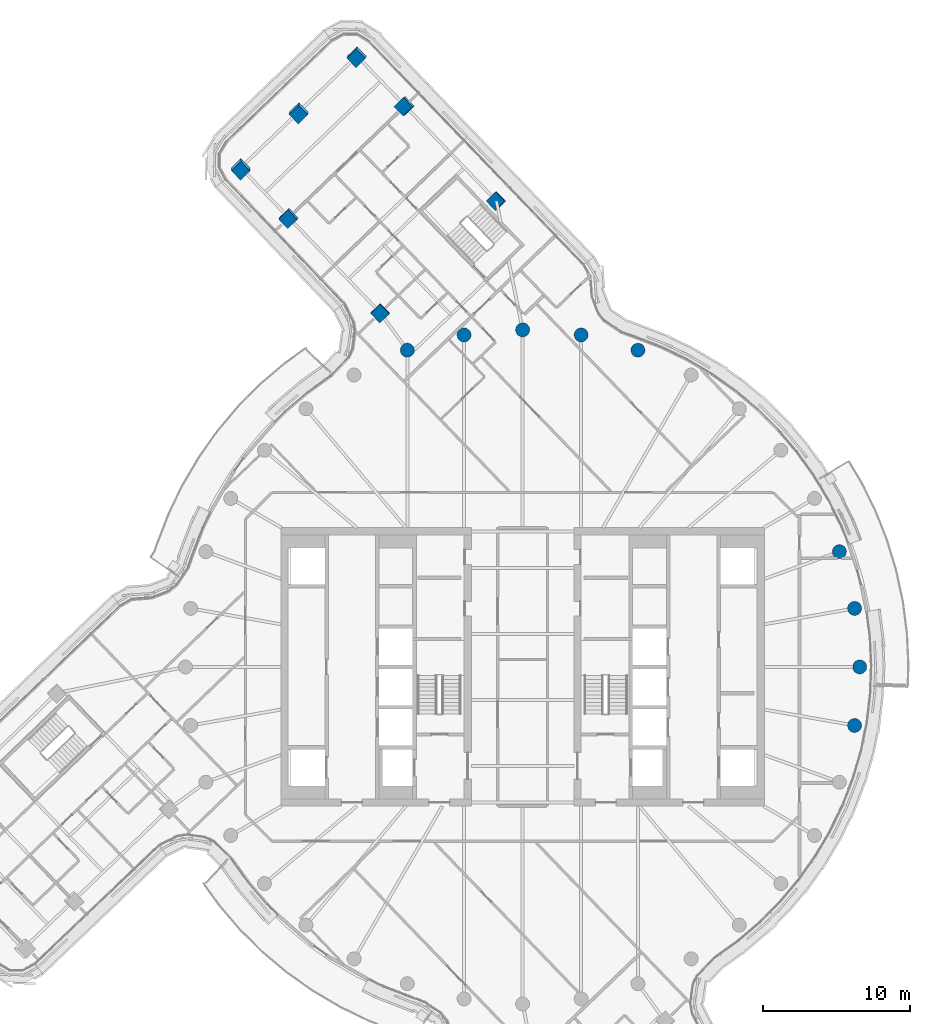
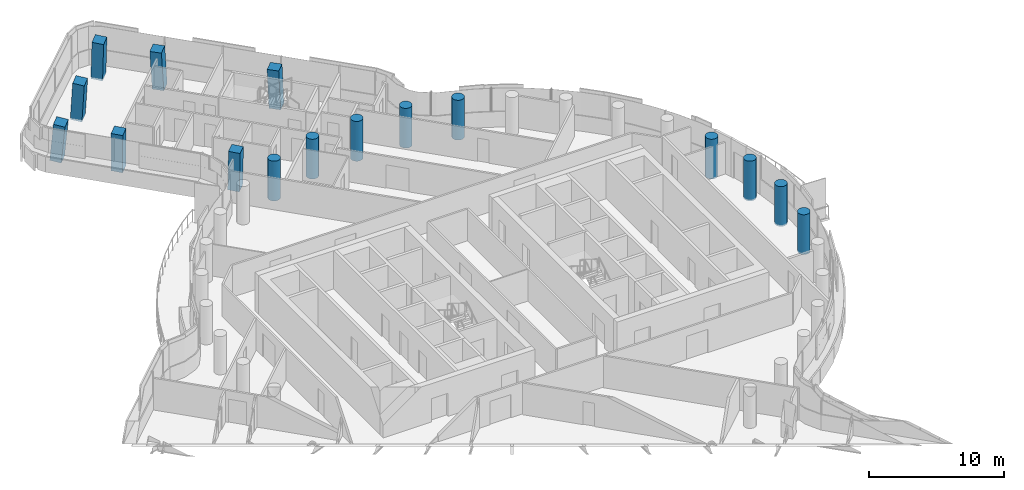
# One storey, part 2 of 34: 16 columns.
"""IFC4 building model written with IfcOpenShell, lengths in metres."""

from ifc_helpers import new_model, si_unit, direction, frame, origin, origin_2d, place, context, subcontext, project, spatial, rectangle, circle, extrude, material, material_profile, profile_set, type_object, element, save


model = new_model("IFC4")

# Units and contexts
model_context = context("Model", 3, precision=1e-05, world=origin(), true_north=direction((0.0, 1.0)))
body_context = subcontext(model_context, "Body", "Model", "MODEL_VIEW")
ifc_project = project(units=[si_unit("LENGTHUNIT", "METRE"), si_unit("AREAUNIT", "SQUARE_METRE"), si_unit("VOLUMEUNIT", "CUBIC_METRE"), si_unit("PLANEANGLEUNIT", "RADIAN"), si_unit("MASSUNIT", "GRAM", prefix="KILO")], contexts=[model_context])

# Site, building, storey
site_placement = place(None, origin())
site = spatial("IfcSite", under=ifc_project, at=site_placement, CompositionType="ELEMENT")
building_placement = place(site_placement, origin())
building = spatial("IfcBuilding", under=site, at=building_placement, Name="Tamarind Cross Interchange Tower", CompositionType="ELEMENT")
storey_placement = place(building_placement, frame((0.0, 0.0, 193.300048828125)))
storey = spatial("IfcBuildingStorey", under=building, at=storey_placement, Name="L48", CompositionType="ELEMENT", Elevation=193.300048828125)

# Columns
ifc_material = material(Name="Concrete C55", Category="concrete")
ifc_material_profile_1 = material_profile(ifc_material, rectangle(XDim=0.89990234375, YDim=0.89990234375, at=origin_2d()), Name="RC 900x900")
ifc_profile_set_1 = profile_set([ifc_material_profile_1], Name="Concrete C55")
column_type_1 = type_object("IfcColumnType", Name="Column RC 900x900 Concrete C55", PredefinedType="COLUMN", material=ifc_profile_set_1)
for number, where, z_axis, x_axis, name in (
    (1, (-15.9560546875, 30.65673828125, -0.138671875), (-0.042984192636, -0.080831909423, 0.995800462745), (0.719423529277, 0.689102615034, 0.086990640166), "Column L48-043"),
    (2, (-8.02783203125, 38.28173828125, -0.138671875), (-0.081710728199, -0.041227083707, 0.995803034975), (0.692138747781, -0.721261800448, 0.026932675974), "Column L48-044"),
):
    element("IfcColumn", number, at=place(storey_placement, frame(where, z_axis=z_axis, x_axis=x_axis)), inside=storey, type_object=column_type_1, Name=name, PredefinedType="COLUMN", context=body_context, shape_type="SweptSolid", body=[
        extrude(rectangle(XDim=0.89990234375, YDim=0.89990234375, at=origin_2d()), origin(), (0.0, 0.0, 1.0), 3.6123046875),
    ])
for number, where, z_axis, x_axis, name in (
    (3, (-9.717529296875, 24.169921875, -0.138671875), (-0.010573584179, -0.04927561345, 0.998729249215), (0.721101561283, 0.691569981719, 0.041755223636), "Column L48-045"),
    (4, (-1.7890625, 31.794921875, -0.138671875), (-0.049478993091, -0.009489121963, 0.998730086563), (0.69227562516, -0.721111099247, 0.027445242787), "Column L48-046"),
):
    element("IfcColumn", number, at=place(storey_placement, frame(where, z_axis=z_axis, x_axis=x_axis)), inside=storey, type_object=column_type_1, Name=name, PredefinedType="COLUMN", context=body_context, shape_type="SweptSolid", body=[
        extrude(rectangle(XDim=0.89990234375, YDim=0.89990234375, at=origin_2d()), origin(), (0.0, 0.0, 1.0), 3.60205078125),
    ])
column_1_placement = place(storey_placement, frame((-11.302734375, 41.68701171875, -0.13818359375), z_axis=(-0.041303815745, -0.115017313992, 0.99250441424), x_axis=(0.718307618159, 0.68705250687, 0.109512640812)))
element("IfcColumn", 5, at=column_1_placement, inside=storey, type_object=column_type_1, Name="Column L48-047", PredefinedType="COLUMN", context=body_context, shape_type="SweptSolid", body=[
    extrude(rectangle(XDim=0.89990234375, YDim=0.89990234375, at=origin_2d()), origin(), (0.0, 0.0, 1.0), 3.623291015625),
])
column_2_placement = place(storey_placement, frame((-15.266845703125, 37.87451171875, -0.137939453125), z_axis=(-0.021928127985, -0.134528392549, 0.990667082728), x_axis=(0.719471397446, 0.685904535349, 0.109068220143)))
element("IfcColumn", 6, at=column_2_placement, inside=storey, type_object=column_type_1, Name="Column L48-048", PredefinedType="COLUMN", context=body_context, shape_type="SweptSolid", body=[
    extrude(rectangle(XDim=0.89990234375, YDim=0.89990234375, at=origin_2d()), origin(), (0.0, 0.0, 1.0), 3.629638671875),
])
column_3_placement = place(storey_placement, frame((-19.231201171875, 34.06201171875, -0.137939453125), z_axis=(-0.002616487241, -0.153836031912, 0.988092925428), x_axis=(0.720593359709, 0.684811823002, 0.108526388591)))
element("IfcColumn", 7, at=column_3_placement, inside=storey, type_object=column_type_1, Name="Column L48-049", PredefinedType="COLUMN", context=body_context, shape_type="SweptSolid", body=[
    extrude(rectangle(XDim=0.89990234375, YDim=0.89990234375, at=origin_2d()), origin(), (0.0, 0.0, 1.0), 3.638916015625),
])
ifc_material_profile_2 = material_profile(ifc_material, circle(Radius=0.47509765625, at=origin_2d()), Name="RC D950")
ifc_profile_set_2 = profile_set([ifc_material_profile_2], Name="Concrete C55")
column_type_2 = type_object("IfcColumnType", Name="Column RC D950 Concrete C55", PredefinedType="COLUMN", material=ifc_profile_set_2)
for number, where, z_axis, x_axis, name in (
    (8, (23.0, 0.0, -0.14013671875), (0.0, 0.0, 1.0), (1.0, 0.0, 0.0), "Column L48-000"),
    (9, (22.650634765625, 3.993896484375, -0.14013671875), (0.0, 0.0, 1.0), (1.0, 0.0, 0.0), "Column L48-001"),
    (10, (21.613037109375, 7.866455078125, -0.14013671875), (0.0, 0.0, 1.0), (1.0, 0.0, 0.0), "Column L48-002"),
    (11, (7.866455078125, 21.613037109375, -0.14013671875), (0.0, 0.0, 1.0), (1.0, 0.0, 0.0), "Column L48-007"),
    (12, (3.993896484375, 22.650634765625, -0.14013671875), (0.0, 0.0, 1.0), (1.0, 0.0, 0.0), "Column L48-008"),
    (13, (0.0, 23.0, -0.14013671875), (0.0, 0.0, 1.0), (1.0, 0.0, 0.0), "Column L48-009"),
    (14, (-3.993896484375, 22.650634765625, -0.14013671875), (0.0, 0.0, 1.0), (1.0, 0.0, 0.0), "Column L48-010"),
    (15, (-7.866455078125, 21.613037109375, -0.14013671875), (0.0, 0.0, 1.0), (1.0, 0.0, 0.0), "Column L48-011"),
    (16, (22.650634765625, -3.993896484375, -0.14013671875), (0.0, 0.0, 1.0), (1.0, 0.0, 0.0), "Column L48-035"),
):
    element("IfcColumn", number, at=place(storey_placement, frame(where, z_axis=z_axis, x_axis=x_axis)), inside=storey, type_object=column_type_2, Name=name, PredefinedType="COLUMN", context=body_context, shape_type="SweptSolid", body=[
        extrude(circle(Radius=0.47509765625, at=origin_2d()), origin(), (0.0, 0.0, 1.0), 3.60009765625),
    ])

save(model, "model.ifc")
